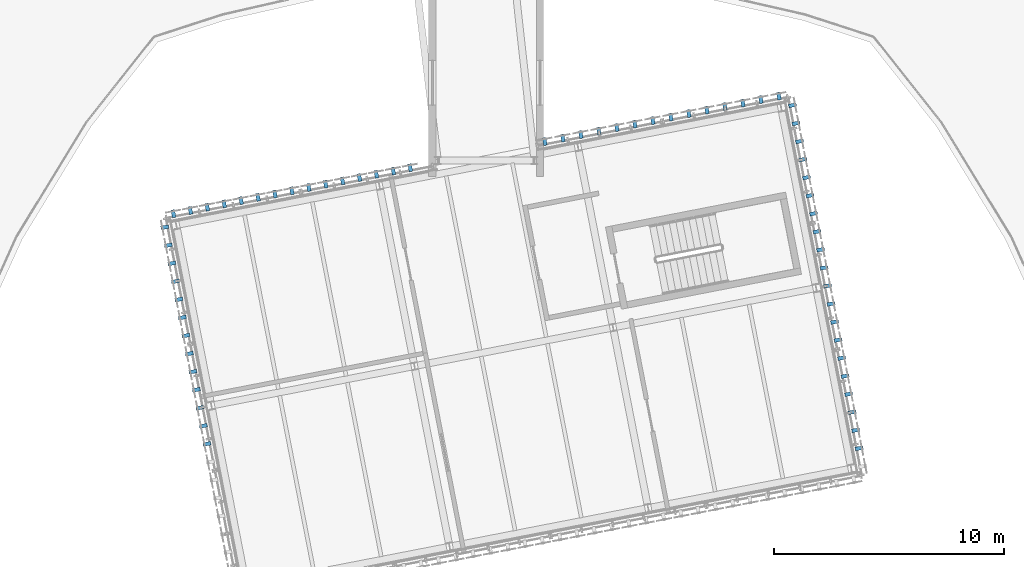
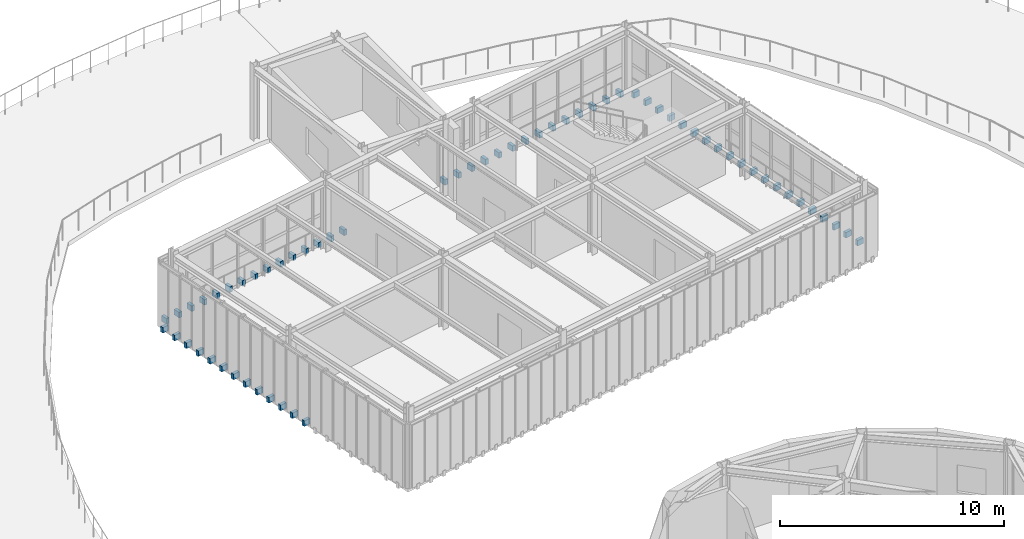
# One storey, part 43 of 59: 62 discrete accessories.
"""IFC4 building model written with IfcOpenShell, lengths in metres."""

from ifc_helpers import new_model, si_unit, direction, frame, origin, origin_2d, place, context, subcontext, project, spatial, rectangle, extrude, material, type_object, element, save


model = new_model("IFC4")

# Units and contexts
model_context = context("Model", 3, precision=1e-05, world=origin(), true_north=direction((0.0, 1.0)))
body_context = subcontext(model_context, "Body", "Model", "MODEL_VIEW")
ifc_project = project(units=[si_unit("LENGTHUNIT", "METRE"), si_unit("AREAUNIT", "SQUARE_METRE"), si_unit("VOLUMEUNIT", "CUBIC_METRE"), si_unit("PLANEANGLEUNIT", "RADIAN"), si_unit("MASSUNIT", "GRAM", prefix="KILO")], contexts=[model_context])

# Site, building, storey
site_placement = place(None, origin())
site = spatial("IfcSite", under=ifc_project, at=site_placement, CompositionType="ELEMENT")
building_placement = place(site_placement, origin())
building = spatial("IfcBuilding", under=site, at=building_placement, Name="Varnklinge Art Gallery", CompositionType="ELEMENT")
storey_placement = place(building_placement, frame((0.0, 0.0, 9.52001953125)))
storey = spatial("IfcBuildingStorey", under=building, at=storey_placement, Name="L02", CompositionType="ELEMENT", Elevation=9.52001953125)

# Discrete accessories
ifc_material = material(Name="Steel S355", Category="steel")
discrete_accessory_type = type_object("IfcDiscreteAccessoryType", Name="BRK-01", PredefinedType="BRACKET", material=ifc_material)
for number, where, z_axis, x_axis, name in (
    (1, (90.5283203125, 68.08642578125, -0.06982421875), (0.0, 0.0, 1.0), (-0.190808995377, 0.981627183448, 0.0), "L02 Lattice Outrigger Bracket 2.1.2"),
    (2, (90.375732421875, 68.87158203125, -0.06982421875), (0.0, 0.0, 1.0), (-0.190808995377, 0.981627183448, 0.0), "L02 Lattice Outrigger Bracket 2.1.3"),
    (3, (90.222900390625, 69.656982421875, -0.06982421875), (0.0, 0.0, 1.0), (-0.190808995377, 0.981627183448, 0.0), "L02 Lattice Outrigger Bracket 2.1.4"),
    (4, (90.0703125, 70.4423828125, -0.06982421875), (0.0, 0.0, 1.0), (-0.190808995377, 0.981627183448, 0.0), "L02 Lattice Outrigger Bracket 2.1.5"),
    (5, (89.917724609375, 71.2275390625, -0.06982421875), (0.0, 0.0, 1.0), (-0.190808995377, 0.981627183448, 0.0), "L02 Lattice Outrigger Bracket 2.1.6"),
    (6, (89.76513671875, 72.012939453125, -0.06982421875), (0.0, 0.0, 1.0), (-0.190808995377, 0.981627183448, 0.0), "L02 Lattice Outrigger Bracket 2.1.7"),
    (7, (89.6123046875, 72.798095703125, -0.06982421875), (0.0, 0.0, 1.0), (-0.190808995377, 0.981627183448, 0.0), "L02 Lattice Outrigger Bracket 2.2.1"),
    (8, (89.459716796875, 73.58349609375, -0.06982421875), (0.0, 0.0, 1.0), (-0.190808995377, 0.981627183448, 0.0), "L02 Lattice Outrigger Bracket 2.2.2"),
    (9, (89.30712890625, 74.368896484375, -0.06982421875), (0.0, 0.0, 1.0), (-0.190808995377, 0.981627183448, 0.0), "L02 Lattice Outrigger Bracket 2.2.3"),
    (10, (89.154541015625, 75.154052734375, -0.06982421875), (0.0, 0.0, 1.0), (-0.190808995377, 0.981627183448, 0.0), "L02 Lattice Outrigger Bracket 2.2.4"),
    (11, (89.001708984375, 75.939453125, -0.06982421875), (0.0, 0.0, 1.0), (-0.190808995377, 0.981627183448, 0.0), "L02 Lattice Outrigger Bracket 2.2.5"),
    (12, (88.84912109375, 76.724609375, -0.06982421875), (0.0, 0.0, 1.0), (-0.190808995377, 0.981627183448, 0.0), "L02 Lattice Outrigger Bracket 2.2.6"),
    (13, (88.696533203125, 77.510009765625, -0.06982421875), (0.0, 0.0, 1.0), (-0.190808995377, 0.981627183448, 0.0), "L02 Lattice Outrigger Bracket 2.2.7"),
    (14, (88.5439453125, 78.29541015625, -0.06982421875), (0.0, 0.0, 1.0), (-0.190808995377, 0.981627183448, 0.0), "L02 Lattice Outrigger Bracket 2.3.1"),
    (15, (88.39111328125, 79.08056640625, -0.06982421875), (0.0, 0.0, 1.0), (-0.190808995377, 0.981627183448, 0.0), "L02 Lattice Outrigger Bracket 2.3.2"),
    (16, (88.238525390625, 79.865966796875, -0.06982421875), (0.0, 0.0, 1.0), (-0.190808995377, 0.981627183448, 0.0), "L02 Lattice Outrigger Bracket 2.3.3"),
    (17, (88.0859375, 80.651123046875, -0.06982421875), (0.0, 0.0, 1.0), (-0.190808995377, 0.981627183448, 0.0), "L02 Lattice Outrigger Bracket 2.3.4"),
    (18, (87.933349609375, 81.4365234375, -0.06982421875), (0.0, 0.0, 1.0), (-0.190808995377, 0.981627183448, 0.0), "L02 Lattice Outrigger Bracket 2.3.5"),
    (19, (87.78076171875, 82.2216796875, -0.06982421875), (0.0, 0.0, 1.0), (-0.190808995377, 0.981627183448, 0.0), "L02 Lattice Outrigger Bracket 2.3.6"),
    (20, (87.6279296875, 83.007080078125, -0.06982421875), (0.0, 0.0, 1.0), (-0.190808995377, 0.981627183448, 0.0), "L02 Lattice Outrigger Bracket 2.3.7"),
    (21, (87.03125, 83.41064453125, -0.06982421875), (0.0, 0.0, 1.0), (-0.981627183448, -0.190808995377, 0.0), "L02 Lattice Outrigger Bracket 3.1.1"),
    (22, (86.248046875, 83.25830078125, -0.06982421875), (0.0, 0.0, 1.0), (-0.981627183448, -0.190808995377, 0.0), "L02 Lattice Outrigger Bracket 3.1.2"),
    (23, (85.46484375, 83.106201171875, -0.06982421875), (0.0, 0.0, 1.0), (-0.981627183448, -0.190808995377, 0.0), "L02 Lattice Outrigger Bracket 3.1.3"),
    (24, (84.681884765625, 82.9541015625, -0.06982421875), (0.0, 0.0, 1.0), (-0.981627183448, -0.190808995377, 0.0), "L02 Lattice Outrigger Bracket 3.1.4"),
    (25, (83.898681640625, 82.8017578125, -0.06982421875), (0.0, 0.0, 1.0), (-0.981627183448, -0.190808995377, 0.0), "L02 Lattice Outrigger Bracket 3.1.5"),
    (26, (83.115478515625, 82.649658203125, -0.06982421875), (0.0, 0.0, 1.0), (-0.981627183448, -0.190808995377, 0.0), "L02 Lattice Outrigger Bracket 3.1.6"),
    (27, (82.33251953125, 82.497314453125, -0.06982421875), (0.0, 0.0, 1.0), (-0.981627183448, -0.190808995377, 0.0), "L02 Lattice Outrigger Bracket 3.1.7"),
    (28, (81.54931640625, 82.34521484375, -0.06982421875), (0.0, 0.0, 1.0), (-0.981627183448, -0.190808995377, 0.0), "L02 Lattice Outrigger Bracket 3.2.1"),
    (29, (80.76611328125, 82.19287109375, -0.06982421875), (0.0, 0.0, 1.0), (-0.981627183448, -0.190808995377, 0.0), "L02 Lattice Outrigger Bracket 3.2.2"),
    (30, (79.983154296875, 82.040771484375, -0.06982421875), (0.0, 0.0, 1.0), (-0.981627183448, -0.190808995377, 0.0), "L02 Lattice Outrigger Bracket 3.2.3"),
    (31, (79.199951171875, 81.888427734375, -0.06982421875), (0.0, 0.0, 1.0), (-0.981627183448, -0.190808995377, 0.0), "L02 Lattice Outrigger Bracket 3.2.4"),
    (32, (78.416748046875, 81.736083984375, -0.06982421875), (0.0, 0.0, 1.0), (-0.981627183448, -0.190808995377, 0.0), "L02 Lattice Outrigger Bracket 3.2.5"),
    (33, (77.6337890625, 81.583984375, -0.06982421875), (0.0, 0.0, 1.0), (-0.981627183448, -0.190808995377, 0.0), "L02 Lattice Outrigger Bracket 3.2.6"),
    (34, (76.8505859375, 81.431884765625, -0.06982421875), (0.0, 0.0, 1.0), (-0.981627183448, -0.190808995377, 0.0), "L02 Lattice Outrigger Bracket 3.2.7"),
    (35, (70.99560546875, 80.293701171875, -0.06982421875), (0.0, 0.0, 1.0), (-0.981627183448, -0.190808995377, 0.0), "L02 Lattice Outrigger Bracket 3.1.2"),
    (36, (70.260009765625, 80.150634765625, -0.06982421875), (0.0, 0.0, 1.0), (-0.981627183448, -0.190808995377, 0.0), "L02 Lattice Outrigger Bracket 3.1.3"),
    (37, (69.5244140625, 80.0078125, -0.06982421875), (0.0, 0.0, 1.0), (-0.981627183448, -0.190808995377, 0.0), "L02 Lattice Outrigger Bracket 3.1.4"),
    (38, (68.788818359375, 79.86474609375, -0.06982421875), (0.0, 0.0, 1.0), (-0.981627183448, -0.190808995377, 0.0), "L02 Lattice Outrigger Bracket 3.1.5"),
    (39, (68.05322265625, 79.7216796875, -0.06982421875), (0.0, 0.0, 1.0), (-0.981627183448, -0.190808995377, 0.0), "L02 Lattice Outrigger Bracket 3.1.6"),
    (40, (67.317626953125, 79.578857421875, -0.06982421875), (0.0, 0.0, 1.0), (-0.981627183448, -0.190808995377, 0.0), "L02 Lattice Outrigger Bracket 3.1.7"),
    (41, (66.582275390625, 79.435791015625, -0.06982421875), (0.0, 0.0, 1.0), (-0.981627183448, -0.190808995377, 0.0), "L02 Lattice Outrigger Bracket 3.1.8"),
    (42, (65.8466796875, 79.292724609375, -0.06982421875), (0.0, 0.0, 1.0), (-0.981627183448, -0.190808995377, 0.0), "L02 Lattice Outrigger Bracket 3.2.1"),
    (43, (65.111083984375, 79.14990234375, -0.06982421875), (0.0, 0.0, 1.0), (-0.981627183448, -0.190808995377, 0.0), "L02 Lattice Outrigger Bracket 3.2.2"),
    (44, (64.37548828125, 79.0068359375, -0.06982421875), (0.0, 0.0, 1.0), (-0.981627183448, -0.190808995377, 0.0), "L02 Lattice Outrigger Bracket 3.2.3"),
    (45, (63.639892578125, 78.864013671875, -0.06982421875), (0.0, 0.0, 1.0), (-0.981627183448, -0.190808995377, 0.0), "L02 Lattice Outrigger Bracket 3.2.4"),
    (46, (62.904296875, 78.720947265625, -0.06982421875), (0.0, 0.0, 1.0), (-0.981627183448, -0.190808995377, 0.0), "L02 Lattice Outrigger Bracket 3.2.5"),
    (47, (62.168701171875, 78.577880859375, -0.06982421875), (0.0, 0.0, 1.0), (-0.981627183448, -0.190808995377, 0.0), "L02 Lattice Outrigger Bracket 3.2.6"),
    (48, (61.43310546875, 78.43505859375, -0.06982421875), (0.0, 0.0, 1.0), (-0.981627183448, -0.190808995377, 0.0), "L02 Lattice Outrigger Bracket 3.2.7"),
    (49, (60.697509765625, 78.2919921875, -0.06982421875), (0.0, 0.0, 1.0), (-0.981627183448, -0.190808995377, 0.0), "L02 Lattice Outrigger Bracket 3.2.8"),
    (50, (60.319091796875, 77.698974609375, -0.06982421875), (0.0, 0.0, 1.0), (0.190808995377, -0.981627183448, 0.0), "L02 Lattice Outrigger Bracket 4.1.1"),
    (51, (60.4716796875, 76.91357421875, -0.06982421875), (0.0, 0.0, 1.0), (0.190808995377, -0.981627183448, 0.0), "L02 Lattice Outrigger Bracket 4.1.2"),
    (52, (60.624267578125, 76.12841796875, -0.06982421875), (0.0, 0.0, 1.0), (0.190808995377, -0.981627183448, 0.0), "L02 Lattice Outrigger Bracket 4.1.3"),
    (53, (60.777099609375, 75.343017578125, -0.06982421875), (0.0, 0.0, 1.0), (0.190808995377, -0.981627183448, 0.0), "L02 Lattice Outrigger Bracket 4.1.4"),
    (54, (60.9296875, 74.5576171875, -0.06982421875), (0.0, 0.0, 1.0), (0.190808995377, -0.981627183448, 0.0), "L02 Lattice Outrigger Bracket 4.1.5"),
    (55, (61.082275390625, 73.7724609375, -0.06982421875), (0.0, 0.0, 1.0), (0.190808995377, -0.981627183448, 0.0), "L02 Lattice Outrigger Bracket 4.1.6"),
    (56, (61.23486328125, 72.987060546875, -0.06982421875), (0.0, 0.0, 1.0), (0.190808995377, -0.981627183448, 0.0), "L02 Lattice Outrigger Bracket 4.1.7"),
    (57, (61.3876953125, 72.201904296875, -0.06982421875), (0.0, 0.0, 1.0), (0.190808995377, -0.981627183448, 0.0), "L02 Lattice Outrigger Bracket 4.2.1"),
    (58, (61.540283203125, 71.41650390625, -0.06982421875), (0.0, 0.0, 1.0), (0.190808995377, -0.981627183448, 0.0), "L02 Lattice Outrigger Bracket 4.2.2"),
    (59, (61.69287109375, 70.631103515625, -0.06982421875), (0.0, 0.0, 1.0), (0.190808995377, -0.981627183448, 0.0), "L02 Lattice Outrigger Bracket 4.2.3"),
    (60, (61.845458984375, 69.845947265625, -0.06982421875), (0.0, 0.0, 1.0), (0.190808995377, -0.981627183448, 0.0), "L02 Lattice Outrigger Bracket 4.2.4"),
    (61, (61.998291015625, 69.060546875, -0.06982421875), (0.0, 0.0, 1.0), (0.190808995377, -0.981627183448, 0.0), "L02 Lattice Outrigger Bracket 4.2.5"),
    (62, (62.15087890625, 68.275390625, -0.06982421875), (0.0, 0.0, 1.0), (0.190808995377, -0.981627183448, 0.0), "L02 Lattice Outrigger Bracket 4.2.6"),
):
    element("IfcDiscreteAccessory", number, at=place(storey_placement, frame(where, z_axis=z_axis, x_axis=x_axis)), inside=storey, type_object=discrete_accessory_type, Name=name, PredefinedType="BRACKET", context=body_context, shape_type="SweptSolid", body=[
        extrude(rectangle(XDim=0.159912109375, YDim=0.340087890625, at=origin_2d()), origin(), (0.0, 0.0, 1.0), 0.300048828125),
    ])

save(model, "model.ifc")
